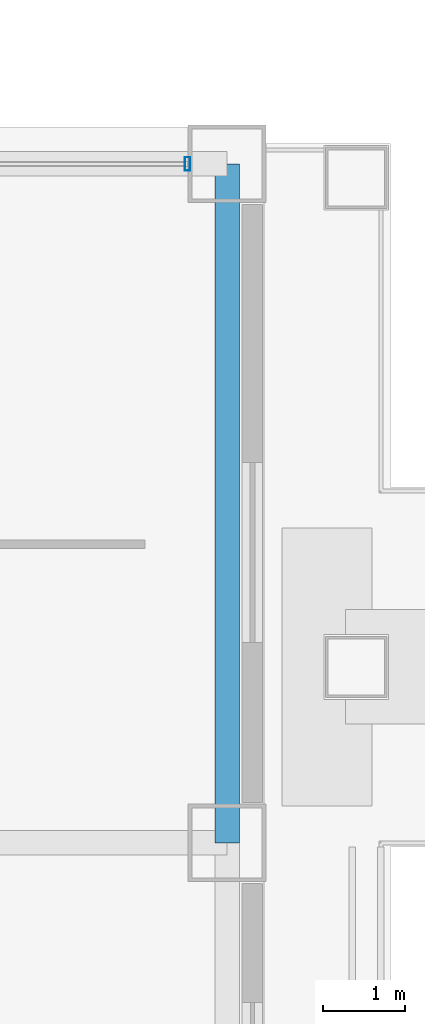
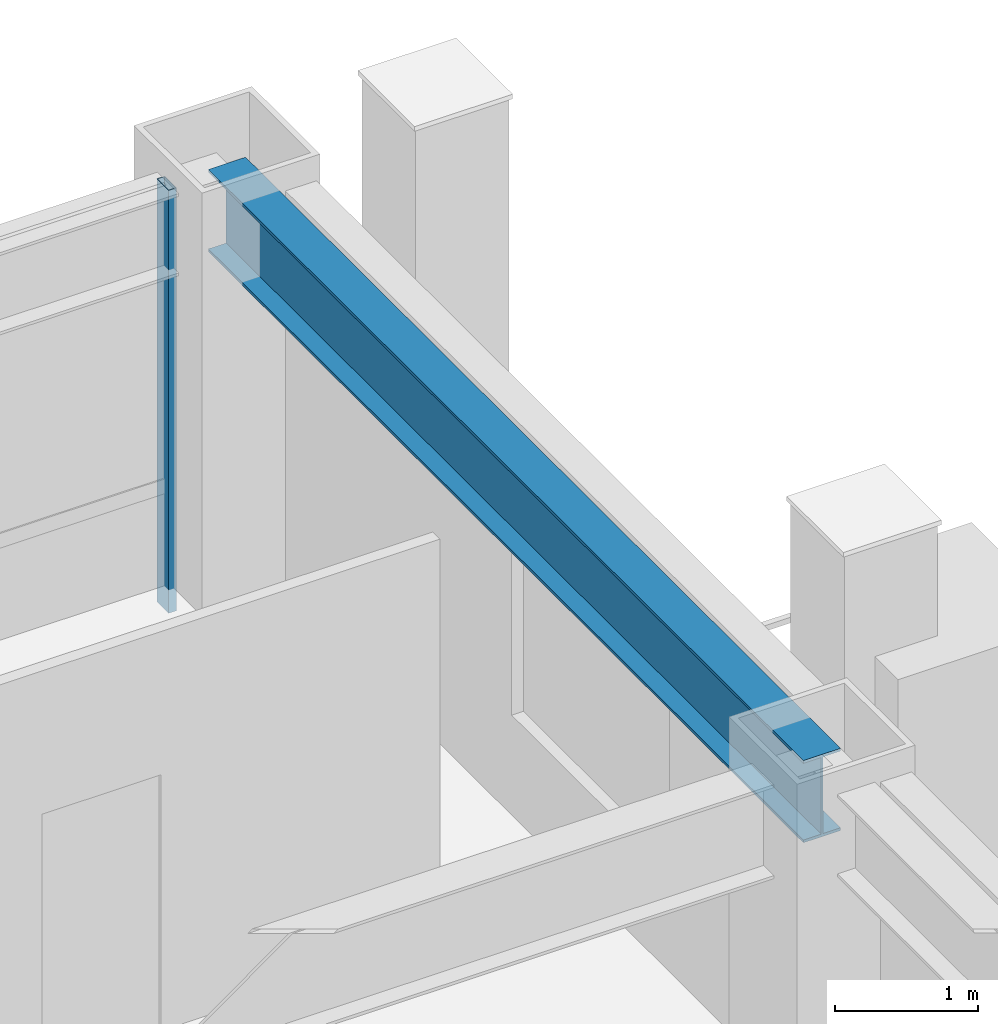
# One storey, part 24 of 33: 1 beam, 1 member, 1 element without a shape of its own.
"""IFC4 building model written with IfcOpenShell, lengths in metres."""

from ifc_helpers import new_model, si_unit, direction, frame, origin, origin_2d, place, context, subcontext, project, spatial, hollow_rectangle, i_section, extrude, material, layer, layer_set, material_profile, profile_set, type_object, element, aggregate, save


model = new_model("IFC4")

# Units and contexts
model_context = context("Model", 3, precision=1e-05, world=origin(), true_north=direction((0.0, 1.0)))
body_context = subcontext(model_context, "Body", "Model", "MODEL_VIEW")
ifc_project = project(units=[si_unit("LENGTHUNIT", "METRE"), si_unit("AREAUNIT", "SQUARE_METRE"), si_unit("VOLUMEUNIT", "CUBIC_METRE"), si_unit("PLANEANGLEUNIT", "RADIAN"), si_unit("MASSUNIT", "GRAM", prefix="KILO")], contexts=[model_context])

# Site, building, storey
site_placement = place(None, origin())
site = spatial("IfcSite", under=ifc_project, at=site_placement, CompositionType="ELEMENT")
building_placement = place(site_placement, origin())
building = spatial("IfcBuilding", under=site, at=building_placement, Name="Brelmoor Portico Tower", CompositionType="ELEMENT")
storey_placement = place(building_placement, frame((0.0, 0.0, 34.800048828125)))
storey = spatial("IfcBuildingStorey", under=building, at=storey_placement, Name="L08", CompositionType="ELEMENT", Elevation=34.800048828125)

# Beam
ifc_material_1 = material(Name="Steel Q355B", Category="steel")
ifc_material_profile_1 = material_profile(ifc_material_1, i_section(OverallWidth=0.300048828125, OverallDepth=0.699951171875, WebThickness=0.012939453125, FlangeThickness=0.02392578125, at=origin_2d()), Name="HN 700x300x13x24")
ifc_profile_set_1 = profile_set([ifc_material_profile_1], Name="Steel Q355B")
beam_type = type_object("IfcBeamType", Name="BM-SP-700", PredefinedType="SPANDREL", material=ifc_profile_set_1)
beam_placement = place(storey_placement, frame((24.550048828125, 9.75, 3.050048828125), z_axis=(0.0, 1.0, 0.0), x_axis=(-1.0, 0.0, 0.0)))
element("IfcBeam", 1, at=beam_placement, inside=storey, type_object=beam_type, Name="L08 Perimeter Spandrel Beam SP-24", PredefinedType="SPANDREL", context=body_context, shape_type="SweptSolid", body=[
    extrude(i_section(OverallWidth=0.300048828125, OverallDepth=0.699951171875, WebThickness=0.012939453125, FlangeThickness=0.02392578125, at=origin_2d()), origin(), (0.0, 0.0, 1.0), 8.300048828125),
])

# Curtain wall, member
ifc_material_2 = material(Name="Anodised Aluminium Alloy 6063-T6", Category="aluminium")
ifc_layer = layer(ifc_material_2, 0.179931640625)
ifc_layer_set = layer_set([ifc_layer], Name="Anodised Aluminium Alloy 6063-T6")
curtain_wall_type = type_object("IfcCurtainWallType", Name="CW-NOTCH-CHAMFER", PredefinedType="NOTDEFINED", material=ifc_layer_set)
curtain_wall_placement = place(storey_placement, origin())
curtain_wall = element("IfcCurtainWall", 2, at=curtain_wall_placement, inside=storey, type_object=curtain_wall_type, Name="L08 Curtain Wall CWN-L08-NEH", PredefinedType="NOTDEFINED")
ifc_material_profile_2 = material_profile(ifc_material_2, hollow_rectangle(XDim=0.06494140625, YDim=0.1650390625, WallThickness=0.00390625, at=origin_2d()), Name="ALU MULLION 65x165")
ifc_profile_set_2 = profile_set([ifc_material_profile_2], Name="Anodised Aluminium Alloy 6063-T6")
member_type = type_object("IfcMemberType", Name="MB-CW-MULL-165", PredefinedType="MULLION", material=ifc_profile_set_2)
member_placement = place(storey_placement, frame((24.06494140625, 18.050048828125, -0.199951171875), z_axis=(0.0, 0.0, 1.0), x_axis=(1.0, 0.0, 0.0)))
member = element("IfcMember", 3, at=member_placement, type_object=member_type, Name="CWN-L08-NEH Mullion 01", PredefinedType="MULLION", context=body_context, shape_type="SweptSolid", body=[
    extrude(hollow_rectangle(XDim=0.06494140625, YDim=0.1650390625, WallThickness=0.00390625, at=origin_2d()), origin(), (0.0, 0.0, 1.0), 3.599853515625),
])
aggregate(curtain_wall, [member])

save(model, "model.ifc")
